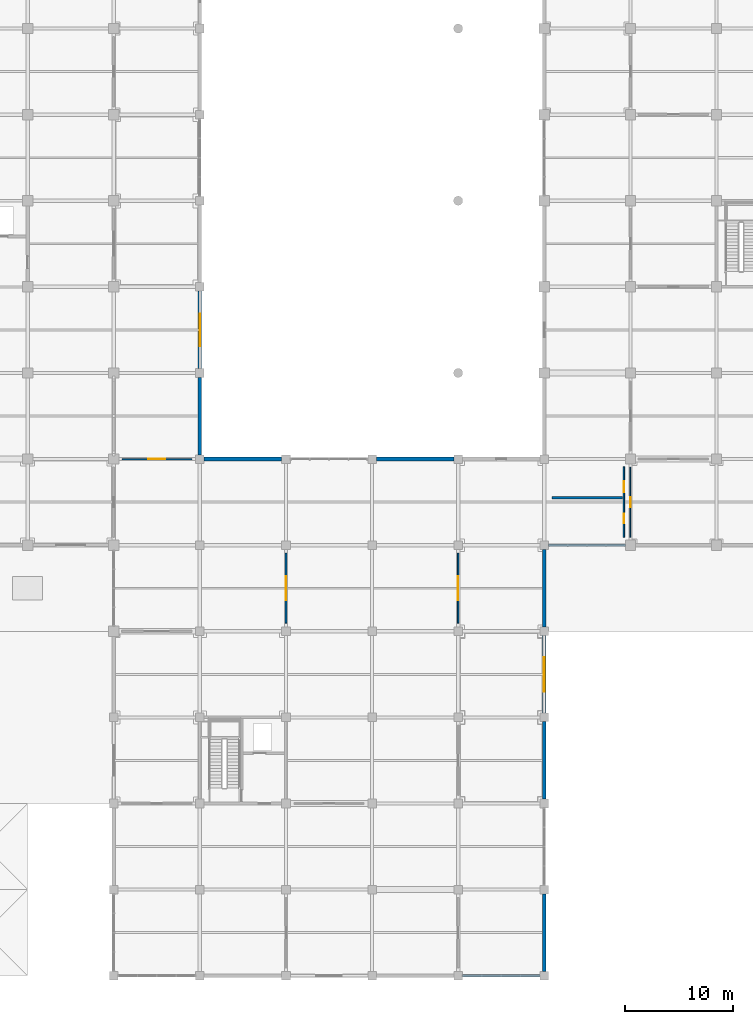
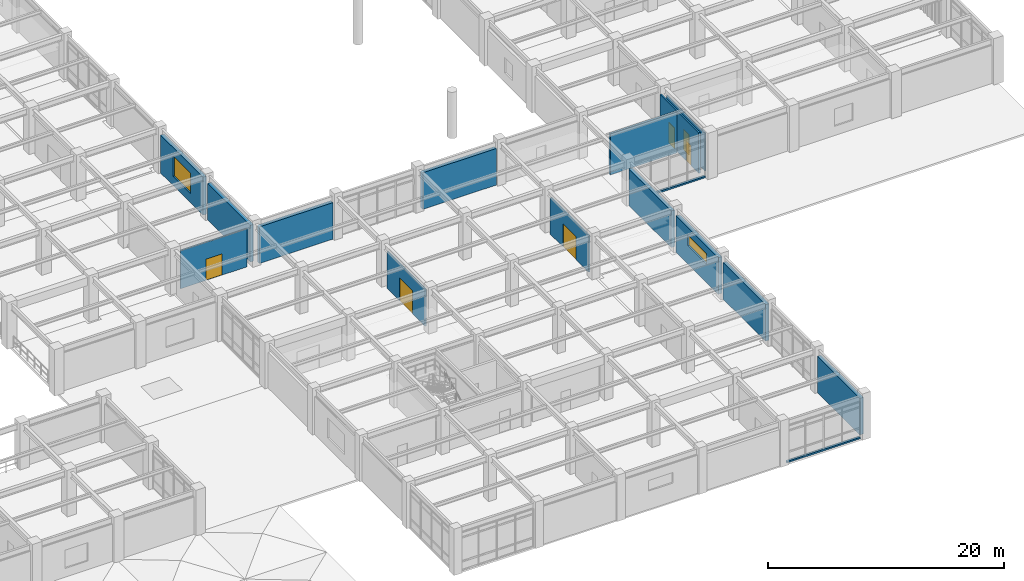
# One storey, part 74 of 109: 16 walls, 6 doors, 2 windows, 8 openings.
"""IFC4 building model written with IfcOpenShell, lengths in metres."""

from ifc_helpers import new_model, si_unit, direction, frame, frame_2d, origin, place, context, subcontext, project, spatial, rectangle, extrude, material, layer, layer_set, type_object, element, fill, save


model = new_model("IFC4")

# Units and contexts
model_context = context("Model", 3, precision=1e-05, world=origin(), true_north=direction((0.0, 1.0)))
body_context = subcontext(model_context, "Body", "Model", "MODEL_VIEW")
ifc_project = project(units=[si_unit("LENGTHUNIT", "METRE"), si_unit("AREAUNIT", "SQUARE_METRE"), si_unit("VOLUMEUNIT", "CUBIC_METRE"), si_unit("PLANEANGLEUNIT", "RADIAN"), si_unit("MASSUNIT", "GRAM", prefix="KILO")], contexts=[model_context])

# Site, building, storey
site_placement = place(None, origin())
site = spatial("IfcSite", under=ifc_project, at=site_placement, CompositionType="ELEMENT")
building_placement = place(site_placement, origin())
building = spatial("IfcBuilding", under=site, at=building_placement, Name="Haebicheon Civic Stadium", CompositionType="ELEMENT")
storey_placement = place(building_placement, frame((0.0, 0.0, 9.60009765625)))
storey = spatial("IfcBuildingStorey", under=building, at=storey_placement, Name="L03", CompositionType="ELEMENT", Elevation=9.60009765625)

# Wall
ifc_material_1 = material(Name="Concrete C40/50", Category="concrete")
ifc_layer_1 = layer(ifc_material_1, 0.35009765625, Name="Concrete C40/50")
ifc_layer_set_1 = layer_set([ifc_layer_1], Name="Concrete C40/50")
wall_type_1 = type_object("IfcWallType", Name="EW-BM-350", PredefinedType="SOLIDWALL", material=ifc_layer_set_1)
wall_1_placement = place(storey_placement, frame((168.0, 48.39990234375, 0.0), z_axis=(0.0, 0.0, 1.0), x_axis=(0.0, 1.0, 0.0)))
element("IfcWall", 1, at=wall_1_placement, inside=storey, type_object=wall_type_1, material=ifc_layer_set_1, Name="L03 board-marked concrete facade wall 21-06-E", PredefinedType="SOLIDWALL", context=body_context, shape_type="SweptSolid", body=[
    extrude(rectangle(XDim=7.2001953125, YDim=0.35009765625, at=frame_2d((3.60009765625, 0.0))), origin(), (0.0, 0.0, 1.0), 3.789794921875),
])

# Wall, opening, window
wall_2_placement = place(storey_placement, frame((168.0, 56.39990234375, 0.0), z_axis=(0.0, 0.0, 1.0), x_axis=(0.0, 1.0, 0.0)))
wall_2 = element("IfcWall", 2, at=wall_2_placement, inside=storey, type_object=wall_type_1, material=ifc_layer_set_1, Name="L03 board-marked concrete facade wall 21-07-E", PredefinedType="SOLIDWALL", context=body_context, shape_type="SweptSolid", body=[
    extrude(rectangle(XDim=7.2001953125, YDim=0.35009765625, at=frame_2d((3.60009765625, 0.0))), origin(), (0.0, 0.0, 1.0), 3.929931640625),
])
opening_1_placement = place(wall_2_placement, frame((2.10009765625, 0.0, 0.949951171875)))
opening_1 = element("IfcOpeningElement", 3, at=opening_1_placement, cuts=wall_2, Name="Opening WIN-300x210", PredefinedType="OPENING", context=body_context, shape_type="SweptSolid", body=[
    extrude(rectangle(XDim=3.0, YDim=2.10009765625, at=frame_2d((1.5, 1.050048828125))), frame((0.0, 0.18505859375, 0.0), z_axis=(0.0, -1.0, 0.0), x_axis=(1.0, 0.0, 0.0)), (0.0, 0.0, 1.0), 0.3701171875),
])
ifc_material_2 = material(Name="Anodised aluminium and laminated glass", Category="aluminium")
window_type_1 = type_object("IfcWindowType", Name="WIN-300x210", PartitioningType="SINGLE_PANEL", PredefinedType="WINDOW", material=ifc_material_2)
window_1_placement = place(opening_1_placement, origin())
window_1 = element("IfcWindow", 4, at=window_1_placement, inside=storey, type_object=window_type_1, material=ifc_material_2, Name="L03 facade window 081", OverallHeight=2.10009765625, OverallWidth=3.0, PartitioningType="SINGLE_PANEL", PredefinedType="WINDOW", context=body_context, shape_type="SweptSolid", body=[
    extrude(rectangle(XDim=3.0, YDim=2.10009765625, at=frame_2d((1.5, 1.050048828125))), frame((0.0, 0.030029296875, 0.0), z_axis=(0.0, -1.0, 0.0), x_axis=(1.0, 0.0, 0.0)), (0.0, 0.0, 1.0), 0.06005859375),
])
fill(opening_1, window_1)

# Walls
for number, where, z_axis, x_axis, name in (
    (5, (168.39990234375, 48.0, 0.0), (0.0, 0.0, 1.0), (1.0, 0.0, 0.0), "L03 board-marked concrete facade wall 21-06-N"),
    (6, (184.39990234375, 48.0, 0.0), (0.0, 0.0, 1.0), (1.0, 0.0, 0.0), "L03 board-marked concrete facade wall 23-06-N"),
    (7, (200.0, 0.39990234375, 0.0), (0.0, 0.0, 1.0), (0.0, 1.0, 0.0), "L03 board-marked concrete facade wall 25-00-E"),
    (8, (200.0, 16.39990234375, 0.0), (0.0, 0.0, 1.0), (0.0, 1.0, 0.0), "L03 board-marked concrete facade wall 25-02-E"),
):
    element("IfcWall", number, at=place(storey_placement, frame(where, z_axis=z_axis, x_axis=x_axis)), inside=storey, type_object=wall_type_1, material=ifc_layer_set_1, Name=name, PredefinedType="SOLIDWALL", context=body_context, shape_type="SweptSolid", body=[
        extrude(rectangle(XDim=7.2001953125, YDim=0.35009765625, at=frame_2d((3.60009765625, 0.0))), origin(), (0.0, 0.0, 1.0), 3.789794921875),
    ])

# Wall, opening, window
wall_3_placement = place(storey_placement, frame((200.0, 24.39990234375, 0.0), z_axis=(0.0, 0.0, 1.0), x_axis=(0.0, 1.0, 0.0)))
wall_3 = element("IfcWall", 9, at=wall_3_placement, inside=storey, type_object=wall_type_1, material=ifc_layer_set_1, Name="L03 board-marked concrete facade wall 25-03-E", PredefinedType="SOLIDWALL", context=body_context, shape_type="SweptSolid", body=[
    extrude(rectangle(XDim=7.2001953125, YDim=0.35009765625, at=frame_2d((3.60009765625, 0.0))), origin(), (0.0, 0.0, 1.0), 3.789794921875),
])
opening_2_placement = place(wall_3_placement, frame((2.0, 0.0, 1.89990234375)))
opening_2 = element("IfcOpeningElement", 10, at=opening_2_placement, cuts=wall_3, Name="Opening WIN-320x110", PredefinedType="OPENING", context=body_context, shape_type="SweptSolid", body=[
    extrude(rectangle(XDim=3.199951171875, YDim=1.10009765625, at=frame_2d((1.60009765625, 0.550048828125))), frame((0.0, 0.18505859375, 0.0), z_axis=(0.0, -1.0, 0.0), x_axis=(1.0, 0.0, 0.0)), (0.0, 0.0, 1.0), 0.3701171875),
])
ifc_material_3 = material(Name="Anodised aluminium and laminated glass", Category="aluminium")
window_type_2 = type_object("IfcWindowType", Name="WIN-320x110", PartitioningType="SINGLE_PANEL", PredefinedType="LIGHTDOME", material=ifc_material_3)
window_2_placement = place(opening_2_placement, origin())
window_2 = element("IfcWindow", 11, at=window_2_placement, inside=storey, type_object=window_type_2, material=ifc_material_3, Name="L03 facade window 088", OverallHeight=1.10009765625, OverallWidth=3.199951171875, PartitioningType="SINGLE_PANEL", PredefinedType="LIGHTDOME", context=body_context, shape_type="SweptSolid", body=[
    extrude(rectangle(XDim=3.199951171875, YDim=1.10009765625, at=frame_2d((1.60009765625, 0.550048828125))), frame((0.0, 0.030029296875, 0.0), z_axis=(0.0, -1.0, 0.0), x_axis=(1.0, 0.0, 0.0)), (0.0, 0.0, 1.0), 0.06005859375),
])
fill(opening_2, window_2)

# Walls
wall_4_placement = place(storey_placement, frame((200.0, 32.39990234375, 0.0), z_axis=(0.0, 0.0, 1.0), x_axis=(0.0, 1.0, 0.0)))
element("IfcWall", 12, at=wall_4_placement, inside=storey, type_object=wall_type_1, material=ifc_layer_set_1, Name="L03 board-marked concrete facade wall 25-04-E", PredefinedType="SOLIDWALL", context=body_context, shape_type="SweptSolid", body=[
    extrude(rectangle(XDim=7.2001953125, YDim=0.35009765625, at=frame_2d((3.60009765625, 0.0))), origin(), (0.0, 0.0, 1.0), 3.789794921875),
])
ifc_material_4 = material(Name="Precast concrete C40/50", Category="concrete")
ifc_layer_2 = layer(ifc_material_4, 0.219970703125, Name="Precast concrete C40/50")
ifc_layer_set_2 = layer_set([ifc_layer_2], Name="Precast concrete C40/50")
wall_type_2 = type_object("IfcWallType", Name="EW-PAR-220", PredefinedType="PARAPET", material=ifc_layer_set_2)
wall_5_placement = place(storey_placement, frame((192.39990234375, 0.0, 0.0), z_axis=(0.0, 0.0, 1.0), x_axis=(1.0, 0.0, 0.0)))
element("IfcWall", 13, at=wall_5_placement, inside=storey, type_object=wall_type_2, material=ifc_layer_set_2, Name="L03 curtain-wall concrete upstand kerb", PredefinedType="PARAPET", context=body_context, shape_type="SweptSolid", body=[
    extrude(rectangle(XDim=7.2001953125, YDim=0.219970703125, at=frame_2d((3.60009765625, 0.0))), origin(), (0.0, 0.0, 1.0), 0.159912109375),
])
wall_6_placement = place(storey_placement, frame((200.39990234375, 40.0, 0.0), z_axis=(0.0, 0.0, 1.0), x_axis=(1.0, 0.0, 0.0)))
element("IfcWall", 14, at=wall_6_placement, inside=storey, type_object=wall_type_2, material=ifc_layer_set_2, Name="L03 curtain-wall concrete upstand kerb", PredefinedType="PARAPET", context=body_context, shape_type="SweptSolid", body=[
    extrude(rectangle(XDim=7.125, YDim=0.219970703125, at=frame_2d((3.5625, 0.0))), origin(), (0.0, 0.0, 1.0), 0.159912109375),
])
ifc_material_5 = material(Name="Concrete C35/45", Category="concrete")
ifc_layer_3 = layer(ifc_material_5, 0.219970703125, Name="Concrete C35/45")
ifc_layer_set_3 = layer_set([ifc_layer_3], Name="Concrete C35/45")
wall_type_3 = type_object("IfcWallType", Name="IW-PLB-220", PredefinedType="PLUMBINGWALL", material=ifc_layer_set_3)
wall_7_placement = place(storey_placement, frame((200.719970703125, 44.39990234375, 0.0), z_axis=(0.0, 0.0, 1.0), x_axis=(1.0, 0.0, 0.0)))
element("IfcWall", 15, at=wall_7_placement, inside=storey, type_object=wall_type_3, material=ifc_layer_set_3, Name="L03 sanitary plumbing chase wall 12", PredefinedType="PLUMBINGWALL", context=body_context, shape_type="SweptSolid", body=[
    extrude(rectangle(XDim=6.56005859375, YDim=0.219970703125, at=frame_2d((3.280029296875, 0.0))), origin(), (0.0, 0.0, 1.0), 4.219970703125),
])

# Wall, opening, door
ifc_material_6 = material(Name="Anodised aluminium and laminated glass", Category="aluminium")
ifc_layer_4 = layer(ifc_material_6, 0.10009765625, Name="Anodised aluminium and laminated glass")
ifc_layer_set_4 = layer_set([ifc_layer_4], Name="Anodised aluminium and laminated glass")
wall_type_4 = type_object("IfcWallType", Name="IW-PRT-100", PredefinedType="PARTITIONING", material=ifc_layer_set_4)
wall_8_placement = place(storey_placement, frame((208.0, 40.75, 0.0), z_axis=(0.0, 0.0, 1.0), x_axis=(0.0, 1.0, 0.0)))
wall_8 = element("IfcWall", 16, at=wall_8_placement, inside=storey, type_object=wall_type_4, material=ifc_layer_set_4, Name="L03 Youth Sports Classroom partition wall", PredefinedType="PARTITIONING", context=body_context, shape_type="SweptSolid", body=[
    extrude(rectangle(XDim=6.5, YDim=0.10009765625, at=frame_2d((3.25, 0.0))), origin(), (0.0, 0.0, 1.0), 3.929931640625),
])
opening_3_placement = place(wall_8_placement, frame((2.77490234375, 0.0, 0.0)))
opening_3 = element("IfcOpeningElement", 17, at=opening_3_placement, cuts=wall_8, Name="Opening D-L03-301", PredefinedType="OPENING", context=body_context, shape_type="SweptSolid", body=[
    extrude(rectangle(XDim=0.949951171875, YDim=2.10009765625, at=frame_2d((0.47509765625, 1.050048828125))), frame((0.0, 0.06005859375, 0.0), z_axis=(0.0, -1.0, 0.0), x_axis=(1.0, 0.0, 0.0)), (0.0, 0.0, 1.0), 0.1201171875),
])
ifc_material_7 = material(Name="Engineered hardwood timber", Category="wood")
door_type_1 = type_object("IfcDoorType", Name="ID-RM-0950", OperationType="NOTDEFINED", PredefinedType="DOOR", material=ifc_material_7)
door_1_placement = place(opening_3_placement, origin())
door_1 = element("IfcDoor", 18, at=door_1_placement, inside=storey, type_object=door_type_1, material=ifc_material_7, Name="L03 Youth Sports Classroom entrance door D-L03-301", OperationType="SINGLE_SWING_LEFT", OverallHeight=2.10009765625, OverallWidth=0.949951171875, PredefinedType="DOOR", context=body_context, shape_type="SweptSolid", body=[
    extrude(rectangle(XDim=0.949951171875, YDim=2.10009765625, at=frame_2d((0.47509765625, 1.050048828125))), frame((0.0, 0.02490234375, 0.0), z_axis=(0.0, -1.0, 0.0), x_axis=(1.0, 0.0, 0.0)), (0.0, 0.0, 1.0), 0.050048828125),
])
fill(opening_3, door_1)

# Wall, openings, doors
ifc_material_8 = material(Name="Gypsum plasterboard on steel studs", Category="gypsum")
ifc_layer_5 = layer(ifc_material_8, 0.14990234375, Name="Gypsum plasterboard on steel studs")
ifc_layer_set_5 = layer_set([ifc_layer_5], Name="Gypsum plasterboard on steel studs")
wall_type_5 = type_object("IfcWallType", Name="IW-PRT-150", PredefinedType="PARTITIONING", material=ifc_layer_set_5)
wall_9_placement = place(storey_placement, frame((207.39990234375, 40.719970703125, 0.0), z_axis=(0.0, 0.0, 1.0), x_axis=(0.0, 1.0, 0.0)))
wall_9 = element("IfcWall", 19, at=wall_9_placement, inside=storey, type_object=wall_type_5, material=ifc_layer_set_5, Name="L03 sanitary enclosure front wall 12", PredefinedType="PARTITIONING", context=body_context, shape_type="SweptSolid", body=[
    extrude(rectangle(XDim=6.56005859375, YDim=0.14990234375, at=frame_2d((3.280029296875, 0.0))), origin(), (0.0, 0.0, 1.0), 4.219970703125),
])
opening_4_placement = place(wall_9_placement, frame((1.300048828125, 0.0, 0.0)))
opening_4 = element("IfcOpeningElement", 20, at=opening_4_placement, cuts=wall_9, Name="Opening D-L03-WC-12A", PredefinedType="OPENING", context=body_context, shape_type="SweptSolid", body=[
    extrude(rectangle(XDim=0.89990234375, YDim=2.10009765625, at=frame_2d((0.449951171875, 1.050048828125))), frame((0.0, 0.0849609375, 0.0), z_axis=(0.0, -1.0, 0.0), x_axis=(1.0, 0.0, 0.0)), (0.0, 0.0, 1.0), 0.169921875),
])
opening_5_placement = place(wall_9_placement, frame((4.199951171875, 0.0, 0.0)))
opening_5 = element("IfcOpeningElement", 21, at=opening_5_placement, cuts=wall_9, Name="Opening D-L03-AWC-12B", PredefinedType="OPENING", context=body_context, shape_type="SweptSolid", body=[
    extrude(rectangle(XDim=1.0, YDim=2.14990234375, at=frame_2d((0.5, 1.074951171875))), frame((0.0, 0.0849609375, 0.0), z_axis=(0.0, -1.0, 0.0), x_axis=(1.0, 0.0, 0.0)), (0.0, 0.0, 1.0), 0.169921875),
])
ifc_material_9 = material(Name="Anodised aluminium 6063-T6", Category="aluminium")
door_type_2 = type_object("IfcDoorType", Name="ID-AWC-1000", OperationType="NOTDEFINED", PredefinedType="DOOR", material=ifc_material_9)
door_2_placement = place(opening_5_placement, origin())
door_2 = element("IfcDoor", 22, at=door_2_placement, inside=storey, type_object=door_type_2, material=ifc_material_9, Name="L03 accessible WC door 12", OperationType="SINGLE_SWING_RIGHT", OverallHeight=2.14990234375, OverallWidth=1.0, PredefinedType="DOOR", context=body_context, shape_type="SweptSolid", body=[
    extrude(rectangle(XDim=1.0, YDim=2.14990234375, at=frame_2d((0.5, 1.074951171875))), frame((0.0, 0.02490234375, 0.0), z_axis=(0.0, -1.0, 0.0), x_axis=(1.0, 0.0, 0.0)), (0.0, 0.0, 1.0), 0.050048828125),
])
fill(opening_5, door_2)
ifc_material_10 = material(Name="Anodised aluminium 6063-T6", Category="aluminium")
door_type_3 = type_object("IfcDoorType", Name="ID-WC-0900", OperationType="NOTDEFINED", PredefinedType="DOOR", material=ifc_material_10)
door_3_placement = place(opening_4_placement, origin())
door_3 = element("IfcDoor", 23, at=door_3_placement, inside=storey, type_object=door_type_3, material=ifc_material_10, Name="L03 public restroom door 12", OperationType="SINGLE_SWING_LEFT", OverallHeight=2.10009765625, OverallWidth=0.89990234375, PredefinedType="DOOR", context=body_context, shape_type="SweptSolid", body=[
    extrude(rectangle(XDim=0.89990234375, YDim=2.10009765625, at=frame_2d((0.449951171875, 1.050048828125))), frame((0.0, 0.02490234375, 0.0), z_axis=(0.0, -1.0, 0.0), x_axis=(1.0, 0.0, 0.0)), (0.0, 0.0, 1.0), 0.050048828125),
])
fill(opening_4, door_3)

# Wall, opening, door
wall_10_placement = place(storey_placement, frame((160.75, 48.0, 0.0), z_axis=(0.0, 0.0, 1.0), x_axis=(1.0, 0.0, 0.0)))
wall_10 = element("IfcWall", 24, at=wall_10_placement, inside=storey, type_object=wall_type_5, material=ifc_layer_set_5, Name="L03 Supporters' Club Lounge partition wall", PredefinedType="PARTITIONING", context=body_context, shape_type="SweptSolid", body=[
    extrude(rectangle(XDim=6.5, YDim=0.14990234375, at=frame_2d((3.25, 0.0))), origin(), (0.0, 0.0, 1.0), 3.929931640625),
])
opening_6_placement = place(wall_10_placement, frame((2.449951171875, 0.0, 0.0)))
opening_6 = element("IfcOpeningElement", 25, at=opening_6_placement, cuts=wall_10, Name="Opening D-L03-318", PredefinedType="OPENING", context=body_context, shape_type="SweptSolid", body=[
    extrude(rectangle(XDim=1.60009765625, YDim=2.199951171875, at=frame_2d((0.800048828125, 1.10009765625))), frame((0.0, 0.0849609375, 0.0), z_axis=(0.0, -1.0, 0.0), x_axis=(1.0, 0.0, 0.0)), (0.0, 0.0, 1.0), 0.169921875),
])
ifc_material_11 = material(Name="Anodised aluminium and laminated glass", Category="aluminium")
door_type_4 = type_object("IfcDoorType", Name="ID-DBL-1600", OperationType="NOTDEFINED", PredefinedType="DOOR", material=ifc_material_11)
door_4_placement = place(opening_6_placement, origin())
door_4 = element("IfcDoor", 26, at=door_4_placement, inside=storey, type_object=door_type_4, material=ifc_material_11, Name="L03 Supporters' Club Lounge entrance door D-L03-318", OperationType="DOUBLE_SWING_LEFT", OverallHeight=2.199951171875, OverallWidth=1.60009765625, PredefinedType="DOOR", context=body_context, shape_type="SweptSolid", body=[
    extrude(rectangle(XDim=1.60009765625, YDim=2.199951171875, at=frame_2d((0.800048828125, 1.10009765625))), frame((0.0, 0.02490234375, 0.0), z_axis=(0.0, -1.0, 0.0), x_axis=(1.0, 0.0, 0.0)), (0.0, 0.0, 1.0), 0.050048828125),
])
fill(opening_6, door_4)

wall_11_placement = place(storey_placement, frame((176.0, 32.75, 0.0), z_axis=(0.0, 0.0, 1.0), x_axis=(0.0, 1.0, 0.0)))
wall_11 = element("IfcWall", 27, at=wall_11_placement, inside=storey, type_object=wall_type_5, material=ifc_layer_set_5, Name="L03 Civic Banquet Hall partition wall", PredefinedType="PARTITIONING", context=body_context, shape_type="SweptSolid", body=[
    extrude(rectangle(XDim=6.5, YDim=0.14990234375, at=frame_2d((3.25, 0.0))), origin(), (0.0, 0.0, 1.0), 3.789794921875),
])
opening_7_placement = place(wall_11_placement, frame((2.14990234375, 0.0, 0.0)))
opening_7 = element("IfcOpeningElement", 28, at=opening_7_placement, cuts=wall_11, Name="Opening D-L03-328", PredefinedType="OPENING", context=body_context, shape_type="SweptSolid", body=[
    extrude(rectangle(XDim=2.199951171875, YDim=2.39990234375, at=frame_2d((1.10009765625, 1.199951171875))), frame((0.0, 0.0849609375, 0.0), z_axis=(0.0, -1.0, 0.0), x_axis=(1.0, 0.0, 0.0)), (0.0, 0.0, 1.0), 0.169921875),
])
ifc_material_12 = material(Name="Engineered hardwood timber", Category="wood")
door_type_5 = type_object("IfcDoorType", Name="ID-DBL-2200", OperationType="NOTDEFINED", PredefinedType="DOOR", material=ifc_material_12)
door_5_placement = place(opening_7_placement, origin())
door_5 = element("IfcDoor", 29, at=door_5_placement, inside=storey, type_object=door_type_5, material=ifc_material_12, Name="L03 Civic Banquet Hall entrance door D-L03-328", OperationType="DOUBLE_SWING_LEFT", OverallHeight=2.39990234375, OverallWidth=2.199951171875, PredefinedType="DOOR", context=body_context, shape_type="SweptSolid", body=[
    extrude(rectangle(XDim=2.199951171875, YDim=2.39990234375, at=frame_2d((1.10009765625, 1.199951171875))), frame((0.0, 0.02490234375, 0.0), z_axis=(0.0, -1.0, 0.0), x_axis=(1.0, 0.0, 0.0)), (0.0, 0.0, 1.0), 0.050048828125),
])
fill(opening_7, door_5)

wall_12_placement = place(storey_placement, frame((192.0, 32.75, 0.0), z_axis=(0.0, 0.0, 1.0), x_axis=(0.0, 1.0, 0.0)))
wall_12 = element("IfcWall", 30, at=wall_12_placement, inside=storey, type_object=wall_type_5, material=ifc_layer_set_5, Name="L03 Civic Banquet Hall partition wall", PredefinedType="PARTITIONING", context=body_context, shape_type="SweptSolid", body=[
    extrude(rectangle(XDim=6.5, YDim=0.14990234375, at=frame_2d((3.25, 0.0))), origin(), (0.0, 0.0, 1.0), 3.789794921875),
])
opening_8_placement = place(wall_12_placement, frame((2.14990234375, 0.0, 0.0)))
opening_8 = element("IfcOpeningElement", 31, at=opening_8_placement, cuts=wall_12, Name="Opening D-L03-334", PredefinedType="OPENING", context=body_context, shape_type="SweptSolid", body=[
    extrude(rectangle(XDim=2.199951171875, YDim=2.39990234375, at=frame_2d((1.10009765625, 1.199951171875))), frame((0.0, 0.0849609375, 0.0), z_axis=(0.0, -1.0, 0.0), x_axis=(1.0, 0.0, 0.0)), (0.0, 0.0, 1.0), 0.169921875),
])
door_6_placement = place(opening_8_placement, origin())
door_6 = element("IfcDoor", 32, at=door_6_placement, inside=storey, type_object=door_type_5, material=ifc_material_12, Name="L03 Civic Banquet Hall entrance door D-L03-334", OperationType="DOUBLE_SWING_LEFT", OverallHeight=2.39990234375, OverallWidth=2.199951171875, PredefinedType="DOOR", context=body_context, shape_type="SweptSolid", body=[
    extrude(rectangle(XDim=2.199951171875, YDim=2.39990234375, at=frame_2d((1.10009765625, 1.199951171875))), frame((0.0, 0.02490234375, 0.0), z_axis=(0.0, -1.0, 0.0), x_axis=(1.0, 0.0, 0.0)), (0.0, 0.0, 1.0), 0.050048828125),
])
fill(opening_8, door_6)

save(model, "model.ifc")
